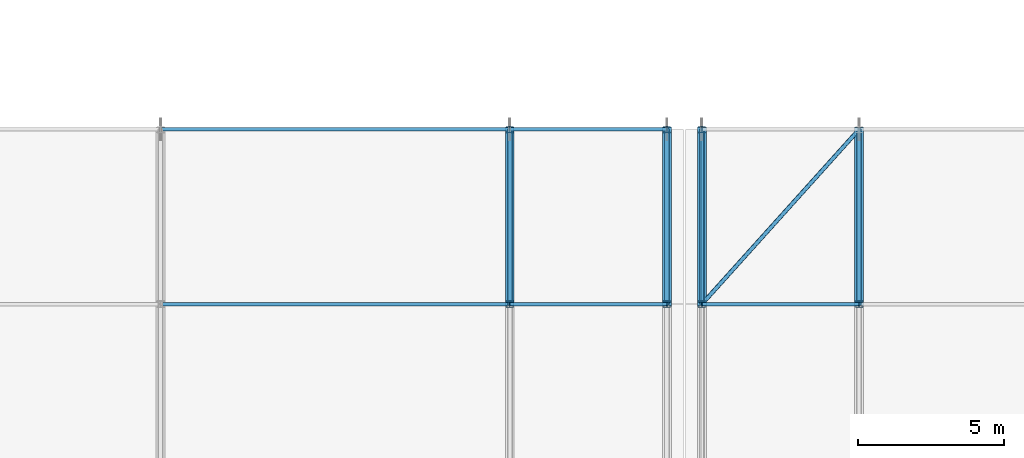
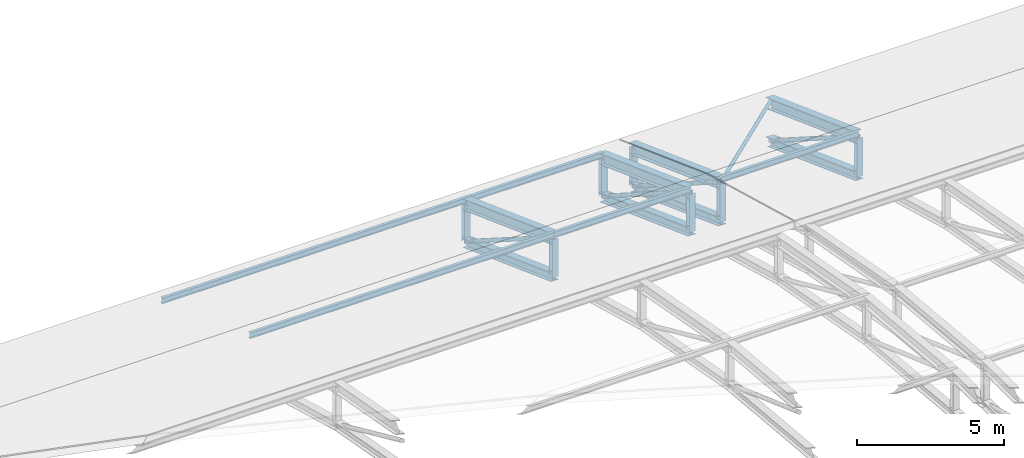
# One storey, part 103 of 204: 25 members.
"""IFC4 building model written with IfcOpenShell, lengths in metres."""

from ifc_helpers import new_model, si_unit, direction, frame, origin, origin_2d, place, context, subcontext, project, spatial, hollow_circle, i_section, extrude, material, material_profile, profile_set, type_object, element, save


model = new_model("IFC4")

# Units and contexts
model_context = context("Model", 3, precision=1e-05, world=origin(), true_north=direction((0.0, 1.0)))
body_context = subcontext(model_context, "Body", "Model", "MODEL_VIEW")
ifc_project = project(units=[si_unit("LENGTHUNIT", "METRE"), si_unit("AREAUNIT", "SQUARE_METRE"), si_unit("VOLUMEUNIT", "CUBIC_METRE"), si_unit("PLANEANGLEUNIT", "RADIAN"), si_unit("MASSUNIT", "GRAM", prefix="KILO")], contexts=[model_context])

# Site, building, storey
site_placement = place(None, origin())
site = spatial("IfcSite", under=ifc_project, at=site_placement, CompositionType="ELEMENT")
building_placement = place(site_placement, origin())
building = spatial("IfcBuilding", under=site, at=building_placement, Name="Zilviju Railside Exhibition Hall", CompositionType="ELEMENT")
storey_placement = place(building_placement, frame((0.0, 0.0, 21.0)))
storey = spatial("IfcBuildingStorey", under=building, at=storey_placement, Name="RF", CompositionType="ELEMENT", Elevation=21.0)

# Members
ifc_material = material(Name="Steel S355J2", Category="steel")
ifc_material_profile_1 = material_profile(ifc_material, hollow_circle(Radius=0.06982421875, WallThickness=0.00634765625, at=origin_2d()), Name="CHS 139.7x6.3")
ifc_profile_set_1 = profile_set([ifc_material_profile_1], Name="Steel S355J2")
member_type_1 = type_object("IfcMemberType", Name="TR-BR-CHS139", PredefinedType="BRACE", material=ifc_profile_set_1)
member_placement = place(storey_placement, frame((174.60009765625, 48.0, -3.964599609375), z_axis=(0.645910672406, 0.717691503981, -0.260227416666), x_axis=(-0.743300161789, 0.668958047626, 0.0)))
element("IfcMember", 1, at=member_placement, inside=storey, type_object=member_type_1, Name="V1 Roof Wind Brace (174.6..180.0)", PredefinedType="BRACE", context=body_context, shape_type="SweptSolid", body=[
    extrude(hollow_circle(Radius=0.06982421875, WallThickness=0.00634765625, at=origin_2d()), origin(), (0.0, 0.0, 1.0), 8.360107421875),
])
ifc_material_profile_2 = material_profile(ifc_material, hollow_circle(Radius=0.084228515625, WallThickness=0.008056640625, at=origin_2d()), Name="CHS 168.3x8.0")
ifc_profile_set_2 = profile_set([ifc_material_profile_2], Name="Steel S355J2")
member_type_2 = type_object("IfcMemberType", Name="TR-BR-CHS168", PredefinedType="BRACE", material=ifc_profile_set_2)
for number, where, z_axis, x_axis, name in (
    (2, (168.0, 48.0, -3.987548828125), (0.0, 0.844023315733, -0.536306481872), (-1.0, 0.0, 0.0), "V1 Parabolic Arch Web Diagonal X=168.0 P9"),
    (3, (173.39990234375, 48.0, -3.987548828125), (0.0, 0.844023315733, -0.536306481872), (-1.0, 0.0, 0.0), "V1 Parabolic Arch Web Diagonal X=173.4 P9"),
    (4, (174.60009765625, 48.0, -3.987548828125), (0.0, 0.844023315733, -0.536306481872), (-1.0, 0.0, 0.0), "V1 Parabolic Arch Web Diagonal X=174.6 P9"),
    (5, (180.0, 48.0, -3.987548828125), (0.0, 0.844023315733, -0.536306481872), (-1.0, 0.0, 0.0), "V1 Parabolic Arch Web Diagonal X=180.0 P9"),
):
    element("IfcMember", number, at=place(storey_placement, frame(where, z_axis=z_axis, x_axis=x_axis)), inside=storey, type_object=member_type_2, Name=name, PredefinedType="BRACE", context=body_context, shape_type="SweptSolid", body=[
        extrude(hollow_circle(Radius=0.084228515625, WallThickness=0.008056640625, at=origin_2d()), origin(), (0.0, 0.0, 1.0), 7.10888671875),
    ])
ifc_material_profile_3 = material_profile(ifc_material, i_section(OverallWidth=0.300048828125, OverallDepth=0.360107421875, WebThickness=0.012451171875, FlangeThickness=0.0224609375, at=origin_2d()), Name="HEB 360")
ifc_profile_set_3 = profile_set([ifc_material_profile_3], Name="Steel S355J2")
member_type_3 = type_object("IfcMemberType", Name="TR-CH-HEB360", PredefinedType="CHORD", material=ifc_profile_set_3)
for number, where, z_axis, x_axis, name in (
    (6, (168.0, 48.0, -5.587646484375), (0.0, 0.938247917098, -0.345963648468), (-1.0, 0.0, 0.0), "V1 Parabolic Arch Bottom Chord X=168.0 P9"),
    (7, (173.39990234375, 48.0, -5.587646484375), (0.0, 0.938247917098, -0.345963648468), (-1.0, 0.0, 0.0), "V1 Parabolic Arch Bottom Chord X=173.4 P9"),
    (8, (174.60009765625, 48.0, -5.587646484375), (0.0, 0.938247917098, -0.345963648468), (-1.0, 0.0, 0.0), "V1 Parabolic Arch Bottom Chord X=174.6 P9"),
    (9, (180.0, 48.0, -5.587646484375), (0.0, 0.938247917098, -0.345963648468), (-1.0, 0.0, 0.0), "V1 Parabolic Arch Bottom Chord X=180.0 P9"),
):
    element("IfcMember", number, at=place(storey_placement, frame(where, z_axis=z_axis, x_axis=x_axis)), inside=storey, type_object=member_type_3, Name=name, PredefinedType="CHORD", context=body_context, shape_type="SweptSolid", body=[
        extrude(i_section(OverallWidth=0.300048828125, OverallDepth=0.360107421875, WebThickness=0.012451171875, FlangeThickness=0.0224609375, at=origin_2d()), origin(), (0.0, 0.0, 1.0), 6.39501953125),
    ])
ifc_material_profile_4 = material_profile(ifc_material, i_section(OverallWidth=0.300048828125, OverallDepth=0.449951171875, WebThickness=0.013916015625, FlangeThickness=0.02587890625, at=origin_2d()), Name="HEB 450")
ifc_profile_set_4 = profile_set([ifc_material_profile_4], Name="Steel S355J2")
member_type_4 = type_object("IfcMemberType", Name="TR-CH-HEB450", PredefinedType="CHORD", material=ifc_profile_set_4)
for number, where, z_axis, x_axis, name in (
    (10, (168.0, 48.0, -3.987548828125), (0.0, 0.938247917098, -0.345963648468), (-1.0, 0.0, 0.0), "V1 Parabolic Arch Top Chord X=168.0 P9"),
    (11, (173.39990234375, 48.0, -3.987548828125), (0.0, 0.938247917098, -0.345963648468), (-1.0, 0.0, 0.0), "V1 Parabolic Arch Top Chord X=173.4 P9"),
    (12, (174.60009765625, 48.0, -3.987548828125), (0.0, 0.938247917098, -0.345963648468), (-1.0, 0.0, 0.0), "V1 Parabolic Arch Top Chord X=174.6 P9"),
    (13, (180.0, 48.0, -3.987548828125), (0.0, 0.938247917098, -0.345963648468), (-1.0, 0.0, 0.0), "V1 Parabolic Arch Top Chord X=180.0 P9"),
):
    element("IfcMember", number, at=place(storey_placement, frame(where, z_axis=z_axis, x_axis=x_axis)), inside=storey, type_object=member_type_4, Name=name, PredefinedType="CHORD", context=body_context, shape_type="SweptSolid", body=[
        extrude(i_section(OverallWidth=0.300048828125, OverallDepth=0.449951171875, WebThickness=0.013916015625, FlangeThickness=0.02587890625, at=origin_2d()), origin(), (0.0, 0.0, 1.0), 6.39501953125),
    ])
ifc_material_profile_5 = material_profile(ifc_material, i_section(OverallWidth=0.239990234375, OverallDepth=0.22998046875, WebThickness=0.007568359375, FlangeThickness=0.011962890625, at=origin_2d()), Name="HEA 240")
ifc_profile_set_5 = profile_set([ifc_material_profile_5], Name="Steel S355J2")
member_type_5 = type_object("IfcMemberType", Name="TR-POST-HEA240", PredefinedType="POST", material=ifc_profile_set_5)
for number, where, z_axis, x_axis, name in (
    (14, (168.0, 48.0, -5.587646484375), (0.0, 0.0, 1.0), (1.0, 0.0, 0.0), "V1 Parabolic Arch Web Post X=168.0 N8"),
    (15, (168.0, 54.0, -7.800048828125), (0.0, 0.0, 1.0), (1.0, 0.0, 0.0), "V1 Parabolic Arch Web Post X=168.0 N9"),
    (16, (173.39990234375, 48.0, -5.587646484375), (0.0, 0.0, 1.0), (1.0, 0.0, 0.0), "V1 Parabolic Arch Web Post X=173.4 N8"),
    (17, (173.39990234375, 54.0, -7.800048828125), (0.0, 0.0, 1.0), (1.0, 0.0, 0.0), "V1 Parabolic Arch Web Post X=173.4 N9"),
    (18, (174.60009765625, 48.0, -5.587646484375), (0.0, 0.0, 1.0), (1.0, 0.0, 0.0), "V1 Parabolic Arch Web Post X=174.6 N8"),
    (19, (174.60009765625, 54.0, -7.800048828125), (0.0, 0.0, 1.0), (1.0, 0.0, 0.0), "V1 Parabolic Arch Web Post X=174.6 N9"),
    (20, (180.0, 48.0, -5.587646484375), (0.0, 0.0, 1.0), (1.0, 0.0, 0.0), "V1 Parabolic Arch Web Post X=180.0 N8"),
):
    element("IfcMember", number, at=place(storey_placement, frame(where, z_axis=z_axis, x_axis=x_axis)), inside=storey, type_object=member_type_5, Name=name, PredefinedType="POST", context=body_context, shape_type="SweptSolid", body=[
        extrude(i_section(OverallWidth=0.239990234375, OverallDepth=0.22998046875, WebThickness=0.007568359375, FlangeThickness=0.011962890625, at=origin_2d()), origin(), (0.0, 0.0, 1.0), 1.60009765625),
    ])
ifc_material_profile_6 = material_profile(ifc_material, i_section(OverallWidth=0.1201171875, OverallDepth=0.239990234375, WebThickness=0.006103515625, FlangeThickness=0.009765625, at=origin_2d()), Name="IPE 240")
ifc_profile_set_6 = profile_set([ifc_material_profile_6], Name="Steel S355J2")
member_type_6 = type_object("IfcMemberType", Name="TR-PUR-IPE240", PredefinedType="PURLIN", material=ifc_profile_set_6)
for number, where, z_axis, x_axis, name in (
    (21, (156.0, 48.0, -3.864990234375), (1.0, 0.0, 0.0), (0.0, 1.0, 0.0), "V1 Barrel Vault Roof Purlin Y=48.0 (156.0..168.0)"),
    (22, (156.0, 54.0, -6.05517578125), (1.0, 0.0, 0.0), (0.0, 1.0, 0.0), "V1 Barrel Vault Roof Purlin Y=54.0 (156.0..168.0)"),
):
    element("IfcMember", number, at=place(storey_placement, frame(where, z_axis=z_axis, x_axis=x_axis)), inside=storey, type_object=member_type_6, Name=name, PredefinedType="PURLIN", context=body_context, shape_type="SweptSolid", body=[
        extrude(i_section(OverallWidth=0.1201171875, OverallDepth=0.239990234375, WebThickness=0.006103515625, FlangeThickness=0.009765625, at=origin_2d()), origin(), (0.0, 0.0, 1.0), 12.0),
    ])
for number, where, z_axis, x_axis, name in (
    (23, (168.0, 48.0, -3.864990234375), (1.0, 0.0, 0.0), (0.0, 1.0, 0.0), "V1 Barrel Vault Roof Purlin Y=48.0 (168.0..173.4)"),
    (24, (168.0, 54.0, -6.05517578125), (1.0, 0.0, 0.0), (0.0, 1.0, 0.0), "V1 Barrel Vault Roof Purlin Y=54.0 (168.0..173.4)"),
    (25, (174.60009765625, 48.0, -3.864990234375), (1.0, 0.0, 0.0), (0.0, 1.0, 0.0), "V1 Barrel Vault Roof Purlin Y=48.0 (174.6..180.0)"),
):
    element("IfcMember", number, at=place(storey_placement, frame(where, z_axis=z_axis, x_axis=x_axis)), inside=storey, type_object=member_type_6, Name=name, PredefinedType="PURLIN", context=body_context, shape_type="SweptSolid", body=[
        extrude(i_section(OverallWidth=0.1201171875, OverallDepth=0.239990234375, WebThickness=0.006103515625, FlangeThickness=0.009765625, at=origin_2d()), origin(), (0.0, 0.0, 1.0), 5.39990234375),
    ])

save(model, "model.ifc")
